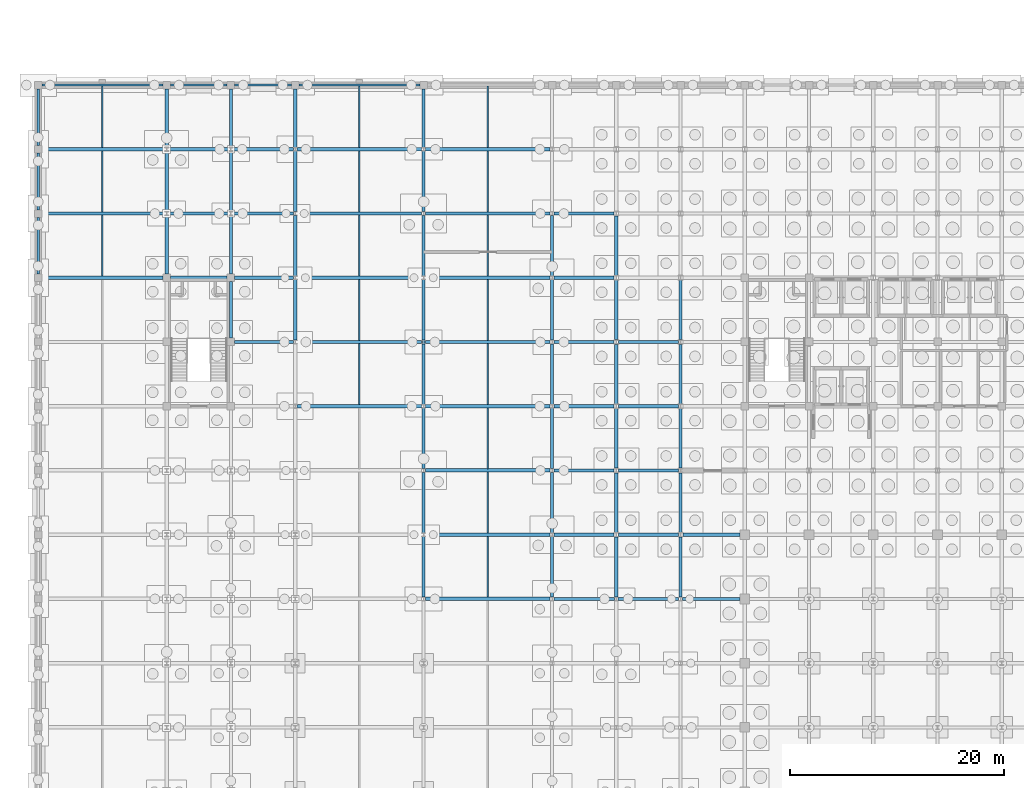
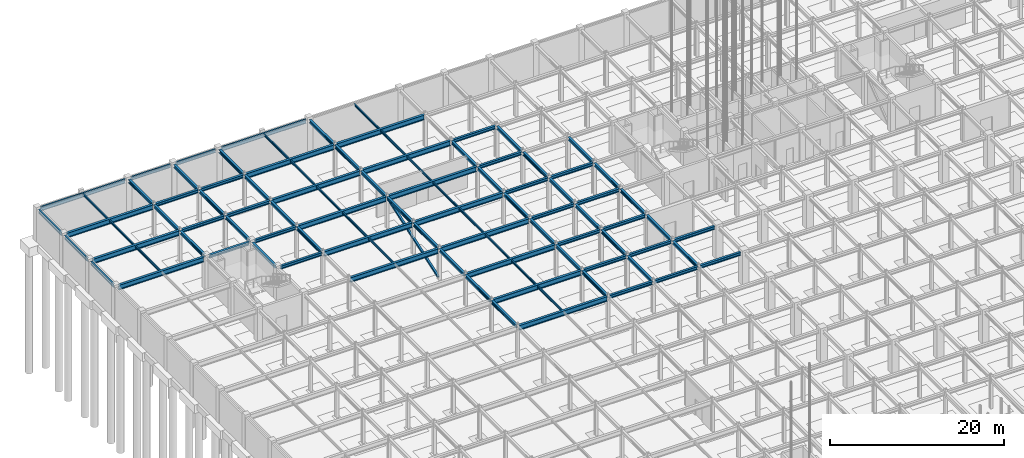
# One storey, part 37 of 69: 96 beams, 1 member.
"""IFC4 building model written with IfcOpenShell, lengths in metres."""

import ifcopenshell
import ifcopenshell.guid

model = None  # the IFC model being written
_history = None  # IfcOwnerHistory: only IFC2X3 demands one
_inside = {}  # id of a spatial element -> (the spatial element, [elements in it])
_under = {}  # id of a project, library or spatial element -> (it, [spatial elements below it])
_declared = {}  # id of a project -> (the project, [libraries it declares])
_typed = {}  # id of a type object -> (the type object, [elements of that type])
_made_of = {}  # id of a material, layer set ... -> (it, [elements and type objects made of it])


def new_model(schema):
    """Start an empty IFC model of exactly this schema.

    Asked for "IFC4X3", IfcOpenShell would pick the latest addendum, in which some entities
    have other attributes; the version numbers below select the first issue.
    IFC2X3 requires an IfcOwnerHistory on every rooted entity: one is made here for all.
    """
    global model, _history
    if schema == "IFC4X3":
        model = ifcopenshell.file(schema_version=(4, 3, 0, 0))
    else:
        model = ifcopenshell.file(schema=schema)
    _inside.clear()
    _under.clear()
    _declared.clear()
    _typed.clear()
    _made_of.clear()
    _history = None
    if model.schema == "IFC2X3":
        org = make("IfcOrganization", Name="unknown")
        user = make(
            "IfcPersonAndOrganization",
            ThePerson=make("IfcPerson", FamilyName="unknown"),
            TheOrganization=org,
        )
        app = make(
            "IfcApplication",
            ApplicationDeveloper=org,
            Version="unknown",
            ApplicationFullName="unknown",
            ApplicationIdentifier="unknown",
        )
        _history = make(
            "IfcOwnerHistory",
            OwningUser=user,
            OwningApplication=app,
            ChangeAction="ADDED",
            CreationDate=0,
        )
    return model


def make(cls, **values):
    """One entity of the class cls with the attributes given. An attribute that is None is left unset."""
    return model.create_entity(
        cls, **{name: value for name, value in values.items() if value is not None}
    )


def rooted(cls, **values):
    """An entity with a GlobalId (a new one), such as an element, a storey or a relation."""
    return make(cls, GlobalId=ifcopenshell.guid.new(), OwnerHistory=_history, **values)


def si_unit(unit_type, name, prefix=None):
    """IfcSIUnit, for example si_unit("LENGTHUNIT", "METRE", prefix="MILLI")."""
    return make("IfcSIUnit", UnitType=unit_type, Prefix=prefix, Name=name)


def assignment(units):
    """IfcUnitAssignment: the units of a project."""
    return None if units is None else make("IfcUnitAssignment", Units=units)


def point(xyz):
    """IfcCartesianPoint."""
    return None if xyz is None else make("IfcCartesianPoint", Coordinates=xyz)


def direction(xyz):
    """IfcDirection."""
    return None if xyz is None else make("IfcDirection", DirectionRatios=xyz)


def frame(location, z_axis=None, x_axis=None):
    """IfcAxis2Placement3D, a coordinate frame: its origin and axes. An axis left out is left unset."""
    return make(
        "IfcAxis2Placement3D",
        Location=point(location),
        Axis=direction(z_axis),
        RefDirection=direction(x_axis),
    )


def frame_2d(location, x_axis=None):
    """IfcAxis2Placement2D, a coordinate frame in the plane: its origin and x axis."""
    return make(
        "IfcAxis2Placement2D", Location=point(location), RefDirection=direction(x_axis)
    )


def origin():
    """The frame at (0, 0, 0) with its axes left unset."""
    return frame((0.0, 0.0, 0.0))


def origin_2d():
    """The frame at (0, 0) in the plane with its x axis left unset."""
    return frame_2d((0.0, 0.0))


def place(relative_to, where):
    """IfcLocalPlacement: puts the frame where relative to a parent placement (None: the world)."""
    return make(
        "IfcLocalPlacement", PlacementRelTo=relative_to, RelativePlacement=where
    )


def context(
    kind, dimensions, precision=None, world=None, true_north=None, identifier=None
):
    """IfcGeometricRepresentationContext, for example the 3D "Model" context."""
    return make(
        "IfcGeometricRepresentationContext",
        ContextIdentifier=identifier,
        ContextType=kind,
        CoordinateSpaceDimension=dimensions,
        Precision=precision,
        WorldCoordinateSystem=world,
        TrueNorth=true_north,
    )


def subcontext(parent, identifier, kind, view, scale=None):
    """IfcGeometricRepresentationSubContext, for example "Body" below "Model"."""
    return make(
        "IfcGeometricRepresentationSubContext",
        ContextIdentifier=identifier,
        ContextType=kind,
        ParentContext=parent,
        TargetScale=scale,
        TargetView=view,
    )


def project(units=None, contexts=None):
    """IfcProject with its units and contexts."""
    return rooted(
        "IfcProject",
        Name="project",
        RepresentationContexts=contexts,
        UnitsInContext=assignment(units),
    )


def spatial(cls, under=None, at=None, **own):
    """A site, building, storey or space (cls), placed at a placement, below another one or the project."""
    s = rooted(cls, ObjectPlacement=at, **own)
    if under is not None:
        _under.setdefault(under.id(), (under, []))[1].append(s)
    return s


def profile(cls, at=None, kind="AREA", **sizes):
    """A parametric profile (cls). Its sizes go by their IFC names, for example OverallWidth=200.0."""
    return make(cls, ProfileType=kind, Position=at, **sizes)


def hollow_rectangle(**sizes):
    """IfcRectangleHollowProfileDef."""
    return profile("IfcRectangleHollowProfileDef", **sizes)


def i_section(**sizes):
    """IfcIShapeProfileDef."""
    return profile("IfcIShapeProfileDef", **sizes)


def extrude(swept, where, along, depth):
    """IfcExtrudedAreaSolid: the profile swept, set in the frame where, extruded along a direction by depth."""
    return make(
        "IfcExtrudedAreaSolid",
        SweptArea=swept,
        Position=where,
        ExtrudedDirection=direction(along),
        Depth=depth,
    )


def shape(context_of_items, identifier, shape_type, items):
    """IfcShapeRepresentation: the items that make up one representation, for example the "Body"."""
    return make(
        "IfcShapeRepresentation",
        ContextOfItems=context_of_items,
        RepresentationIdentifier=identifier,
        RepresentationType=shape_type,
        Items=items,
    )


def material(Name=None, Category=None):
    """IfcMaterial."""
    return make("IfcMaterial", Name=Name, Category=Category)


def material_profile(
    of_material, cross_section, Name=None, Category=None, Priority=None
):
    """IfcMaterialProfile: a cross section and its material."""
    return make(
        "IfcMaterialProfile",
        Name=Name,
        Material=of_material,
        Profile=cross_section,
        Priority=Priority,
        Category=Category,
    )


def profile_set(profiles, Name=None, composite=None):
    """IfcMaterialProfileSet."""
    return make(
        "IfcMaterialProfileSet",
        Name=Name,
        MaterialProfiles=profiles,
        CompositeProfile=composite,
    )


def made_of(thing, what):
    """Note that an element or type object is made of a material, layer set ...; save() writes the relation."""
    if what is not None:
        _made_of.setdefault(what.id(), (what, []))[1].append(thing)
    return thing


def type_object(cls, material=None, **own):
    """A type object (cls), such as IfcWallType, which elements share."""
    return made_of(rooted(cls, **own), material)


def element(
    cls,
    number,
    at=None,
    inside=None,
    cuts=None,
    type_object=None,
    material=None,
    context=None,
    identifier="Body",
    shape_type=None,
    held_by="IfcProductDefinitionShape",
    body=None,
    shapes=None,
    **own,
):
    """One element of the class cls, such as IfcWall. Its Tag is "e" and its number.

    at: its placement. inside: the storey or other place that contains it. cuts: it is an
    opening in that element (IfcRelVoidsElement). A single representation is given by context,
    identifier, shape_type and body (its items); several are given by shapes. held_by: the class
    of the entity that holds the representations. save() writes the other relations.
    """
    e = rooted(cls, Tag="e%d" % number, ObjectPlacement=at, **own)
    if body is not None:
        shapes = [shape(context, identifier, shape_type, body)]
    if shapes is not None:
        e.Representation = make(held_by, Representations=shapes)
    if inside is not None:
        _inside.setdefault(inside.id(), (inside, []))[1].append(e)
    if cuts is not None:
        rooted(
            "IfcRelVoidsElement", RelatingBuildingElement=cuts, RelatedOpeningElement=e
        )
    if type_object is not None:
        _typed.setdefault(type_object.id(), (type_object, []))[1].append(e)
    return made_of(e, material)


def aggregate(whole, parts):
    """IfcRelAggregates: a whole, such as a stair, and the parts it consists of."""
    return rooted("IfcRelAggregates", RelatingObject=whole, RelatedObjects=parts)


def save(model, path):
    """Write the relations noted so far, then the file.

    IfcRelAggregates (storeys below a building ...), IfcRelContainedInSpatialStructure (elements
    in a storey), IfcRelDefinesByType, IfcRelAssociatesMaterial and IfcRelDeclares: one each for
    every whole, place, type object, material and project.
    """
    for whole, parts in _under.values():
        aggregate(whole, parts)
    for where, things in _inside.values():
        rooted(
            "IfcRelContainedInSpatialStructure",
            RelatedElements=things,
            RelatingStructure=where,
        )
    for kind, things in _typed.values():
        rooted("IfcRelDefinesByType", RelatedObjects=things, RelatingType=kind)
    for what, things in _made_of.values():
        rooted("IfcRelAssociatesMaterial", RelatedObjects=things, RelatingMaterial=what)
    for by, libraries in _declared.values():
        rooted("IfcRelDeclares", RelatingContext=by, RelatedDefinitions=libraries)
    model.write(path)


model = new_model("IFC4")

# Units and contexts
model_context = context("Model", 3, precision=1e-05, world=origin(), true_north=direction((0.0, 1.0)))
body_context = subcontext(model_context, "Body", "Model", "MODEL_VIEW")
ifc_project = project(units=[si_unit("LENGTHUNIT", "METRE"), si_unit("AREAUNIT", "SQUARE_METRE"), si_unit("VOLUMEUNIT", "CUBIC_METRE"), si_unit("PLANEANGLEUNIT", "RADIAN"), si_unit("MASSUNIT", "GRAM", prefix="KILO")], contexts=[model_context])

# Site, building, storey
site_placement = place(None, origin())
site = spatial("IfcSite", under=ifc_project, at=site_placement, CompositionType="ELEMENT")
building_placement = place(site_placement, origin())
building = spatial("IfcBuilding", under=site, at=building_placement, Name="Zlatovratsky Civic Hall", CompositionType="ELEMENT")
storey_placement = place(building_placement, frame((0.0, 0.0, -4.800048828125)))
storey = spatial("IfcBuildingStorey", under=building, at=storey_placement, Name="B1", CompositionType="ELEMENT", Elevation=-4.800048828125)

# Beams
ifc_material = material(Name="Steel S355", Category="steel")
ifc_material_profile_1 = material_profile(ifc_material, i_section(OverallWidth=0.320068359375, OverallDepth=0.68310546875, WebThickness=0.012939453125, FlangeThickness=0.01904296875, FilletRadius=0.02587890625, at=origin_2d()), Name="70Sh1")
ifc_profile_set_1 = profile_set([ifc_material_profile_1], Name="Steel S355")
beam_type_1 = type_object("IfcBeamType", Name="Beam_HallGirder_70Sh1", PredefinedType="BEAM", material=ifc_profile_set_1)
for number, where, z_axis, x_axis, name in (
    (1, (36.175048828125, 66.0, 4.138427734375), (1.0, 0.0, 0.0), (0.0, 1.0, 0.0), "BM-0193"),
    (2, (36.175048828125, 72.0, 4.138427734375), (1.0, 0.0, 0.0), (0.0, 1.0, 0.0), "BM-0215"),
    (3, (36.175048828125, 78.0, 4.138427734375), (1.0, 0.0, 0.0), (0.0, 1.0, 0.0), "BM-0237"),
    (4, (24.175048828125, 84.0, 4.138427734375), (1.0, 0.0, 0.0), (0.0, 1.0, 0.0), "BM-0258"),
    (5, (36.175048828125, 84.0, 4.138427734375), (1.0, 0.0, 0.0), (0.0, 1.0, 0.0), "BM-0259"),
    (6, (24.175048828125, 90.0, 4.138427734375), (1.0, 0.0, 0.0), (0.0, 1.0, 0.0), "BM-0279"),
    (7, (36.175048828125, 90.0, 4.138427734375), (1.0, 0.0, 0.0), (0.0, 1.0, 0.0), "BM-0280"),
):
    element("IfcBeam", number, at=place(storey_placement, frame(where, z_axis=z_axis, x_axis=x_axis)), inside=storey, type_object=beam_type_1, Name=name, PredefinedType="BEAM", context=body_context, shape_type="SweptSolid", body=[
        extrude(i_section(OverallWidth=0.320068359375, OverallDepth=0.68310546875, WebThickness=0.012939453125, FlangeThickness=0.01904296875, FilletRadius=0.02587890625, at=origin_2d()), origin(), (0.0, 0.0, 1.0), 11.64990234375),
    ])
beam_1_placement = place(storey_placement, frame((0.35009765625, 96.0, 4.138427734375), z_axis=(1.0, 0.0, 0.0), x_axis=(0.0, 1.0, 0.0)))
element("IfcBeam", 8, at=beam_1_placement, inside=storey, type_object=beam_type_1, Name="BM-0295", PredefinedType="BEAM", context=body_context, shape_type="SweptSolid", body=[
    extrude(i_section(OverallWidth=0.320068359375, OverallDepth=0.68310546875, WebThickness=0.012939453125, FlangeThickness=0.01904296875, FilletRadius=0.02587890625, at=origin_2d()), origin(), (0.0, 0.0, 1.0), 11.2998046875),
])
for number, where, z_axis, x_axis, name in (
    (9, (24.175048828125, 96.0, 4.138427734375), (1.0, 0.0, 0.0), (0.0, 1.0, 0.0), "BM-0298"),
    (10, (36.175048828125, 96.0, 4.138427734375), (1.0, 0.0, 0.0), (0.0, 1.0, 0.0), "BM-0299"),
):
    element("IfcBeam", number, at=place(storey_placement, frame(where, z_axis=z_axis, x_axis=x_axis)), inside=storey, type_object=beam_type_1, Name=name, PredefinedType="BEAM", context=body_context, shape_type="SweptSolid", body=[
        extrude(i_section(OverallWidth=0.320068359375, OverallDepth=0.68310546875, WebThickness=0.012939453125, FlangeThickness=0.01904296875, FilletRadius=0.02587890625, at=origin_2d()), origin(), (0.0, 0.0, 1.0), 11.64990234375),
    ])
beam_2_placement = place(storey_placement, frame((0.35009765625, 102.0, 4.138427734375), z_axis=(1.0, 0.0, 0.0), x_axis=(0.0, 1.0, 0.0)))
element("IfcBeam", 11, at=beam_2_placement, inside=storey, type_object=beam_type_1, Name="BM-0317", PredefinedType="BEAM", context=body_context, shape_type="SweptSolid", body=[
    extrude(i_section(OverallWidth=0.320068359375, OverallDepth=0.68310546875, WebThickness=0.012939453125, FlangeThickness=0.01904296875, FilletRadius=0.02587890625, at=origin_2d()), origin(), (0.0, 0.0, 1.0), 11.474853515625),
])
for number, where, z_axis, x_axis, name in (
    (12, (24.175048828125, 102.0, 4.138427734375), (1.0, 0.0, 0.0), (0.0, 1.0, 0.0), "BM-0320"),
    (13, (36.175048828125, 102.0, 4.138427734375), (1.0, 0.0, 0.0), (0.0, 1.0, 0.0), "BM-0321"),
):
    element("IfcBeam", number, at=place(storey_placement, frame(where, z_axis=z_axis, x_axis=x_axis)), inside=storey, type_object=beam_type_1, Name=name, PredefinedType="BEAM", context=body_context, shape_type="SweptSolid", body=[
        extrude(i_section(OverallWidth=0.320068359375, OverallDepth=0.68310546875, WebThickness=0.012939453125, FlangeThickness=0.01904296875, FilletRadius=0.02587890625, at=origin_2d()), origin(), (0.0, 0.0, 1.0), 11.64990234375),
    ])
beam_3_placement = place(storey_placement, frame((0.35009765625, 108.0, 4.138427734375), z_axis=(1.0, 0.0, 0.0), x_axis=(0.0, 1.0, 0.0)))
element("IfcBeam", 14, at=beam_3_placement, inside=storey, type_object=beam_type_1, Name="BM-0339", PredefinedType="BEAM", context=body_context, shape_type="SweptSolid", body=[
    extrude(i_section(OverallWidth=0.320068359375, OverallDepth=0.68310546875, WebThickness=0.012939453125, FlangeThickness=0.01904296875, FilletRadius=0.02587890625, at=origin_2d()), origin(), (0.0, 0.0, 1.0), 11.474853515625),
])
for number, where, z_axis, x_axis, name in (
    (15, (24.175048828125, 108.0, 4.138427734375), (1.0, 0.0, 0.0), (0.0, 1.0, 0.0), "BM-0342"),
    (16, (36.175048828125, 108.0, 4.138427734375), (1.0, 0.0, 0.0), (0.0, 1.0, 0.0), "BM-0343"),
):
    element("IfcBeam", number, at=place(storey_placement, frame(where, z_axis=z_axis, x_axis=x_axis)), inside=storey, type_object=beam_type_1, Name=name, PredefinedType="BEAM", context=body_context, shape_type="SweptSolid", body=[
        extrude(i_section(OverallWidth=0.320068359375, OverallDepth=0.68310546875, WebThickness=0.012939453125, FlangeThickness=0.01904296875, FilletRadius=0.02587890625, at=origin_2d()), origin(), (0.0, 0.0, 1.0), 11.64990234375),
    ])
ifc_material_profile_2 = material_profile(ifc_material, i_section(OverallWidth=0.198974609375, OverallDepth=0.491943359375, WebThickness=0.0087890625, FlangeThickness=0.011962890625, FilletRadius=0.01611328125, at=origin_2d()), Name="50B1")
ifc_profile_set_2 = profile_set([ifc_material_profile_2], Name="Steel S355")
beam_type_2 = type_object("IfcBeamType", Name="Beam_Spandrel_50B1", PredefinedType="SPANDREL", material=ifc_profile_set_2)
for number, where, z_axis, x_axis, name in (
    (17, (12.35009765625, 114.0, 4.234130859375), (1.0, 0.0, 0.0), (0.0, 1.0, 0.0), "BM-0362"),
    (18, (18.35009765625, 114.0, 4.234130859375), (1.0, 0.0, 0.0), (0.0, 1.0, 0.0), "BM-0363"),
    (19, (0.0, 96.35009765625, 4.234130859375), (0.0, 1.0, 0.0), (-1.0, 0.0, 0.0), "BM-0397"),
    (20, (0.0, 102.35009765625, 4.234130859375), (0.0, 1.0, 0.0), (-1.0, 0.0, 0.0), "BM-0398"),
    (21, (0.0, 108.35009765625, 4.234130859375), (0.0, 1.0, 0.0), (-1.0, 0.0, 0.0), "BM-0399"),
):
    element("IfcBeam", number, at=place(storey_placement, frame(where, z_axis=z_axis, x_axis=x_axis)), inside=storey, type_object=beam_type_2, Name=name, PredefinedType="SPANDREL", context=body_context, shape_type="SweptSolid", body=[
        extrude(i_section(OverallWidth=0.198974609375, OverallDepth=0.491943359375, WebThickness=0.0087890625, FlangeThickness=0.011962890625, FilletRadius=0.01611328125, at=origin_2d()), origin(), (0.0, 0.0, 1.0), 5.2998046875),
    ])
ifc_material_profile_3 = material_profile(ifc_material, i_section(OverallWidth=0.198974609375, OverallDepth=0.593017578125, WebThickness=0.010498046875, FlangeThickness=0.014892578125, FilletRadius=0.01806640625, at=origin_2d()), Name="60B1")
ifc_profile_set_3 = profile_set([ifc_material_profile_3], Name="Steel S355")
beam_type_3 = type_object("IfcBeamType", Name="Beam_Spandrel_60B1", PredefinedType="SPANDREL", material=ifc_profile_set_3)
for number, where, z_axis, x_axis, name in (
    (22, (0.35009765625, 114.0, 4.18359375), (1.0, 0.0, 0.0), (0.0, 1.0, 0.0), "BM-0361"),
    (23, (24.35009765625, 114.0, 4.18359375), (1.0, 0.0, 0.0), (0.0, 1.0, 0.0), "BM-0364"),
):
    element("IfcBeam", number, at=place(storey_placement, frame(where, z_axis=z_axis, x_axis=x_axis)), inside=storey, type_object=beam_type_3, Name=name, PredefinedType="SPANDREL", context=body_context, shape_type="SweptSolid", body=[
        extrude(i_section(OverallWidth=0.198974609375, OverallDepth=0.593017578125, WebThickness=0.010498046875, FlangeThickness=0.014892578125, FilletRadius=0.01806640625, at=origin_2d()), origin(), (0.0, 0.0, 1.0), 11.2998046875),
    ])
ifc_material_profile_4 = material_profile(ifc_material, i_section(OverallWidth=0.300048828125, OverallDepth=0.43994140625, WebThickness=0.010986328125, FlangeThickness=0.01806640625, FilletRadius=0.02197265625, at=origin_2d()), Name="45Sh1")
ifc_profile_set_4 = profile_set([ifc_material_profile_4], Name="Steel S355")
beam_type_4 = type_object("IfcBeamType", Name="Beam_TowerLow_45Sh1", PredefinedType="BEAM", material=ifc_profile_set_4)
for number, where, z_axis, x_axis, name in (
    (24, (48.175048828125, 66.0, 4.260009765625), (1.0, 0.0, 0.0), (0.0, 1.0, 0.0), "BM-0194"),
    (25, (54.175048828125, 66.0, 4.260009765625), (1.0, 0.0, 0.0), (0.0, 1.0, 0.0), "BM-0195"),
):
    element("IfcBeam", number, at=place(storey_placement, frame(where, z_axis=z_axis, x_axis=x_axis)), inside=storey, type_object=beam_type_4, Name=name, PredefinedType="BEAM", context=body_context, shape_type="SweptSolid", body=[
        extrude(i_section(OverallWidth=0.300048828125, OverallDepth=0.43994140625, WebThickness=0.010986328125, FlangeThickness=0.01806640625, FilletRadius=0.02197265625, at=origin_2d()), origin(), (0.0, 0.0, 1.0), 5.64990234375),
    ])
beam_4_placement = place(storey_placement, frame((60.175048828125, 66.0, 4.260009765625), z_axis=(1.0, 0.0, 0.0), x_axis=(0.0, 1.0, 0.0)))
element("IfcBeam", 26, at=beam_4_placement, inside=storey, type_object=beam_type_4, Name="BM-0196", PredefinedType="BEAM", context=body_context, shape_type="SweptSolid", body=[
    extrude(i_section(OverallWidth=0.300048828125, OverallDepth=0.43994140625, WebThickness=0.010986328125, FlangeThickness=0.01806640625, FilletRadius=0.02197265625, at=origin_2d()), origin(), (0.0, 0.0, 1.0), 5.375),
])
beam_5_placement = place(storey_placement, frame((48.175048828125, 72.0, 4.260009765625), z_axis=(1.0, 0.0, 0.0), x_axis=(0.0, 1.0, 0.0)))
element("IfcBeam", 27, at=beam_5_placement, inside=storey, type_object=beam_type_4, Name="BM-0216", PredefinedType="BEAM", context=body_context, shape_type="SweptSolid", body=[
    extrude(i_section(OverallWidth=0.300048828125, OverallDepth=0.43994140625, WebThickness=0.010986328125, FlangeThickness=0.01806640625, FilletRadius=0.02197265625, at=origin_2d()), origin(), (0.0, 0.0, 1.0), 5.620361328125),
])
beam_6_placement = place(storey_placement, frame((54.20458984375, 72.0, 4.260009765625), z_axis=(1.0, 0.0, 0.0), x_axis=(0.0, 1.0, 0.0)))
element("IfcBeam", 28, at=beam_6_placement, inside=storey, type_object=beam_type_4, Name="BM-0217", PredefinedType="BEAM", context=body_context, shape_type="SweptSolid", body=[
    extrude(i_section(OverallWidth=0.300048828125, OverallDepth=0.43994140625, WebThickness=0.010986328125, FlangeThickness=0.01806640625, FilletRadius=0.02197265625, at=origin_2d()), origin(), (0.0, 0.0, 1.0), 5.5908203125),
])
beam_7_placement = place(storey_placement, frame((60.20458984375, 72.0, 4.260009765625), z_axis=(1.0, 0.0, 0.0), x_axis=(0.0, 1.0, 0.0)))
element("IfcBeam", 29, at=beam_7_placement, inside=storey, type_object=beam_type_4, Name="BM-0218", PredefinedType="BEAM", context=body_context, shape_type="SweptSolid", body=[
    extrude(i_section(OverallWidth=0.300048828125, OverallDepth=0.43994140625, WebThickness=0.010986328125, FlangeThickness=0.01806640625, FilletRadius=0.02197265625, at=origin_2d()), origin(), (0.0, 0.0, 1.0), 5.345458984375),
])
beam_8_placement = place(storey_placement, frame((48.175048828125, 78.0, 4.260009765625), z_axis=(1.0, 0.0, 0.0), x_axis=(0.0, 1.0, 0.0)))
element("IfcBeam", 30, at=beam_8_placement, inside=storey, type_object=beam_type_4, Name="BM-0238", PredefinedType="BEAM", context=body_context, shape_type="SweptSolid", body=[
    extrude(i_section(OverallWidth=0.300048828125, OverallDepth=0.43994140625, WebThickness=0.010986328125, FlangeThickness=0.01806640625, FilletRadius=0.02197265625, at=origin_2d()), origin(), (0.0, 0.0, 1.0), 5.620361328125),
])
beam_9_placement = place(storey_placement, frame((54.20458984375, 78.0, 4.260009765625), z_axis=(1.0, 0.0, 0.0), x_axis=(0.0, 1.0, 0.0)))
element("IfcBeam", 31, at=beam_9_placement, inside=storey, type_object=beam_type_4, Name="BM-0239", PredefinedType="BEAM", context=body_context, shape_type="SweptSolid", body=[
    extrude(i_section(OverallWidth=0.300048828125, OverallDepth=0.43994140625, WebThickness=0.010986328125, FlangeThickness=0.01806640625, FilletRadius=0.02197265625, at=origin_2d()), origin(), (0.0, 0.0, 1.0), 5.5908203125),
])
beam_10_placement = place(storey_placement, frame((48.175048828125, 84.0, 4.260009765625), z_axis=(1.0, 0.0, 0.0), x_axis=(0.0, 1.0, 0.0)))
element("IfcBeam", 32, at=beam_10_placement, inside=storey, type_object=beam_type_4, Name="BM-0260", PredefinedType="BEAM", context=body_context, shape_type="SweptSolid", body=[
    extrude(i_section(OverallWidth=0.300048828125, OverallDepth=0.43994140625, WebThickness=0.010986328125, FlangeThickness=0.01806640625, FilletRadius=0.02197265625, at=origin_2d()), origin(), (0.0, 0.0, 1.0), 5.620361328125),
])
beam_11_placement = place(storey_placement, frame((54.20458984375, 84.0, 4.260009765625), z_axis=(1.0, 0.0, 0.0), x_axis=(0.0, 1.0, 0.0)))
element("IfcBeam", 33, at=beam_11_placement, inside=storey, type_object=beam_type_4, Name="BM-0261", PredefinedType="BEAM", context=body_context, shape_type="SweptSolid", body=[
    extrude(i_section(OverallWidth=0.300048828125, OverallDepth=0.43994140625, WebThickness=0.010986328125, FlangeThickness=0.01806640625, FilletRadius=0.02197265625, at=origin_2d()), origin(), (0.0, 0.0, 1.0), 5.5908203125),
])
beam_12_placement = place(storey_placement, frame((18.35009765625, 90.0, 4.260009765625), z_axis=(1.0, 0.0, 0.0), x_axis=(0.0, 1.0, 0.0)))
element("IfcBeam", 34, at=beam_12_placement, inside=storey, type_object=beam_type_4, Name="BM-0278", PredefinedType="BEAM", context=body_context, shape_type="SweptSolid", body=[
    extrude(i_section(OverallWidth=0.300048828125, OverallDepth=0.43994140625, WebThickness=0.010986328125, FlangeThickness=0.01806640625, FilletRadius=0.02197265625, at=origin_2d()), origin(), (0.0, 0.0, 1.0), 5.474853515625),
])
beam_13_placement = place(storey_placement, frame((48.175048828125, 90.0, 4.260009765625), z_axis=(1.0, 0.0, 0.0), x_axis=(0.0, 1.0, 0.0)))
element("IfcBeam", 35, at=beam_13_placement, inside=storey, type_object=beam_type_4, Name="BM-0281", PredefinedType="BEAM", context=body_context, shape_type="SweptSolid", body=[
    extrude(i_section(OverallWidth=0.300048828125, OverallDepth=0.43994140625, WebThickness=0.010986328125, FlangeThickness=0.01806640625, FilletRadius=0.02197265625, at=origin_2d()), origin(), (0.0, 0.0, 1.0), 5.620361328125),
])
beam_14_placement = place(storey_placement, frame((54.20458984375, 90.0, 4.260009765625), z_axis=(1.0, 0.0, 0.0), x_axis=(0.0, 1.0, 0.0)))
element("IfcBeam", 36, at=beam_14_placement, inside=storey, type_object=beam_type_4, Name="BM-0282", PredefinedType="BEAM", context=body_context, shape_type="SweptSolid", body=[
    extrude(i_section(OverallWidth=0.300048828125, OverallDepth=0.43994140625, WebThickness=0.010986328125, FlangeThickness=0.01806640625, FilletRadius=0.02197265625, at=origin_2d()), origin(), (0.0, 0.0, 1.0), 5.5908203125),
])
beam_15_placement = place(storey_placement, frame((12.35009765625, 96.0, 4.260009765625), z_axis=(1.0, 0.0, 0.0), x_axis=(0.0, 1.0, 0.0)))
element("IfcBeam", 37, at=beam_15_placement, inside=storey, type_object=beam_type_4, Name="BM-0296", PredefinedType="BEAM", context=body_context, shape_type="SweptSolid", body=[
    extrude(i_section(OverallWidth=0.300048828125, OverallDepth=0.43994140625, WebThickness=0.010986328125, FlangeThickness=0.01806640625, FilletRadius=0.02197265625, at=origin_2d()), origin(), (0.0, 0.0, 1.0), 5.2998046875),
])
beam_16_placement = place(storey_placement, frame((18.35009765625, 96.0, 4.260009765625), z_axis=(1.0, 0.0, 0.0), x_axis=(0.0, 1.0, 0.0)))
element("IfcBeam", 38, at=beam_16_placement, inside=storey, type_object=beam_type_4, Name="BM-0297", PredefinedType="BEAM", context=body_context, shape_type="SweptSolid", body=[
    extrude(i_section(OverallWidth=0.300048828125, OverallDepth=0.43994140625, WebThickness=0.010986328125, FlangeThickness=0.01806640625, FilletRadius=0.02197265625, at=origin_2d()), origin(), (0.0, 0.0, 1.0), 5.474853515625),
])
beam_17_placement = place(storey_placement, frame((48.175048828125, 96.0, 4.260009765625), z_axis=(1.0, 0.0, 0.0), x_axis=(0.0, 1.0, 0.0)))
element("IfcBeam", 39, at=beam_17_placement, inside=storey, type_object=beam_type_4, Name="BM-0300", PredefinedType="BEAM", context=body_context, shape_type="SweptSolid", body=[
    extrude(i_section(OverallWidth=0.300048828125, OverallDepth=0.43994140625, WebThickness=0.010986328125, FlangeThickness=0.01806640625, FilletRadius=0.02197265625, at=origin_2d()), origin(), (0.0, 0.0, 1.0), 5.620361328125),
])
for number, where, z_axis, x_axis, name in (
    (40, (12.175048828125, 102.0, 4.260009765625), (1.0, 0.0, 0.0), (0.0, 1.0, 0.0), "BM-0318"),
    (41, (18.175048828125, 102.0, 4.260009765625), (1.0, 0.0, 0.0), (0.0, 1.0, 0.0), "BM-0319"),
):
    element("IfcBeam", number, at=place(storey_placement, frame(where, z_axis=z_axis, x_axis=x_axis)), inside=storey, type_object=beam_type_4, Name=name, PredefinedType="BEAM", context=body_context, shape_type="SweptSolid", body=[
        extrude(i_section(OverallWidth=0.300048828125, OverallDepth=0.43994140625, WebThickness=0.010986328125, FlangeThickness=0.01806640625, FilletRadius=0.02197265625, at=origin_2d()), origin(), (0.0, 0.0, 1.0), 5.64990234375),
    ])
beam_18_placement = place(storey_placement, frame((48.175048828125, 102.0, 4.260009765625), z_axis=(1.0, 0.0, 0.0), x_axis=(0.0, 1.0, 0.0)))
element("IfcBeam", 42, at=beam_18_placement, inside=storey, type_object=beam_type_4, Name="BM-0322", PredefinedType="BEAM", context=body_context, shape_type="SweptSolid", body=[
    extrude(i_section(OverallWidth=0.300048828125, OverallDepth=0.43994140625, WebThickness=0.010986328125, FlangeThickness=0.01806640625, FilletRadius=0.02197265625, at=origin_2d()), origin(), (0.0, 0.0, 1.0), 5.620361328125),
])
for number, where, z_axis, x_axis, name in (
    (43, (12.175048828125, 108.0, 4.260009765625), (1.0, 0.0, 0.0), (0.0, 1.0, 0.0), "BM-0340"),
    (44, (18.175048828125, 108.0, 4.260009765625), (1.0, 0.0, 0.0), (0.0, 1.0, 0.0), "BM-0341"),
):
    element("IfcBeam", number, at=place(storey_placement, frame(where, z_axis=z_axis, x_axis=x_axis)), inside=storey, type_object=beam_type_4, Name=name, PredefinedType="BEAM", context=body_context, shape_type="SweptSolid", body=[
        extrude(i_section(OverallWidth=0.300048828125, OverallDepth=0.43994140625, WebThickness=0.010986328125, FlangeThickness=0.01806640625, FilletRadius=0.02197265625, at=origin_2d()), origin(), (0.0, 0.0, 1.0), 5.64990234375),
    ])
beam_19_placement = place(storey_placement, frame((12.0, 96.35009765625, 4.260009765625), z_axis=(0.0, 1.0, 0.0), x_axis=(-1.0, 0.0, 0.0)))
element("IfcBeam", 45, at=beam_19_placement, inside=storey, type_object=beam_type_4, Name="BM-0414", PredefinedType="BEAM", context=body_context, shape_type="SweptSolid", body=[
    extrude(i_section(OverallWidth=0.300048828125, OverallDepth=0.43994140625, WebThickness=0.010986328125, FlangeThickness=0.01806640625, FilletRadius=0.02197265625, at=origin_2d()), origin(), (0.0, 0.0, 1.0), 5.474853515625),
])
beam_20_placement = place(storey_placement, frame((12.0, 102.175048828125, 4.260009765625), z_axis=(0.0, 1.0, 0.0), x_axis=(-1.0, 0.0, 0.0)))
element("IfcBeam", 46, at=beam_20_placement, inside=storey, type_object=beam_type_4, Name="BM-0415", PredefinedType="BEAM", context=body_context, shape_type="SweptSolid", body=[
    extrude(i_section(OverallWidth=0.300048828125, OverallDepth=0.43994140625, WebThickness=0.010986328125, FlangeThickness=0.01806640625, FilletRadius=0.02197265625, at=origin_2d()), origin(), (0.0, 0.0, 1.0), 5.64990234375),
])
beam_21_placement = place(storey_placement, frame((12.0, 108.175048828125, 4.260009765625), z_axis=(0.0, 1.0, 0.0), x_axis=(-1.0, 0.0, 0.0)))
element("IfcBeam", 47, at=beam_21_placement, inside=storey, type_object=beam_type_4, Name="BM-0416", PredefinedType="BEAM", context=body_context, shape_type="SweptSolid", body=[
    extrude(i_section(OverallWidth=0.300048828125, OverallDepth=0.43994140625, WebThickness=0.010986328125, FlangeThickness=0.01806640625, FilletRadius=0.02197265625, at=origin_2d()), origin(), (0.0, 0.0, 1.0), 5.474853515625),
])
beam_22_placement = place(storey_placement, frame((18.0, 90.35009765625, 4.260009765625), z_axis=(0.0, 1.0, 0.0), x_axis=(-1.0, 0.0, 0.0)))
element("IfcBeam", 48, at=beam_22_placement, inside=storey, type_object=beam_type_4, Name="BM-0430", PredefinedType="BEAM", context=body_context, shape_type="SweptSolid", body=[
    extrude(i_section(OverallWidth=0.300048828125, OverallDepth=0.43994140625, WebThickness=0.010986328125, FlangeThickness=0.01806640625, FilletRadius=0.02197265625, at=origin_2d()), origin(), (0.0, 0.0, 1.0), 5.2998046875),
])
beam_23_placement = place(storey_placement, frame((18.0, 96.35009765625, 4.260009765625), z_axis=(0.0, 1.0, 0.0), x_axis=(-1.0, 0.0, 0.0)))
element("IfcBeam", 49, at=beam_23_placement, inside=storey, type_object=beam_type_4, Name="BM-0431", PredefinedType="BEAM", context=body_context, shape_type="SweptSolid", body=[
    extrude(i_section(OverallWidth=0.300048828125, OverallDepth=0.43994140625, WebThickness=0.010986328125, FlangeThickness=0.01806640625, FilletRadius=0.02197265625, at=origin_2d()), origin(), (0.0, 0.0, 1.0), 5.474853515625),
])
beam_24_placement = place(storey_placement, frame((18.0, 102.175048828125, 4.260009765625), z_axis=(0.0, 1.0, 0.0), x_axis=(-1.0, 0.0, 0.0)))
element("IfcBeam", 50, at=beam_24_placement, inside=storey, type_object=beam_type_4, Name="BM-0432", PredefinedType="BEAM", context=body_context, shape_type="SweptSolid", body=[
    extrude(i_section(OverallWidth=0.300048828125, OverallDepth=0.43994140625, WebThickness=0.010986328125, FlangeThickness=0.01806640625, FilletRadius=0.02197265625, at=origin_2d()), origin(), (0.0, 0.0, 1.0), 5.64990234375),
])
beam_25_placement = place(storey_placement, frame((18.0, 108.175048828125, 4.260009765625), z_axis=(0.0, 1.0, 0.0), x_axis=(-1.0, 0.0, 0.0)))
element("IfcBeam", 51, at=beam_25_placement, inside=storey, type_object=beam_type_4, Name="BM-0433", PredefinedType="BEAM", context=body_context, shape_type="SweptSolid", body=[
    extrude(i_section(OverallWidth=0.300048828125, OverallDepth=0.43994140625, WebThickness=0.010986328125, FlangeThickness=0.01806640625, FilletRadius=0.02197265625, at=origin_2d()), origin(), (0.0, 0.0, 1.0), 5.474853515625),
])
for number, where, z_axis, x_axis, name in (
    (52, (24.0, 90.175048828125, 4.260009765625), (0.0, 1.0, 0.0), (-1.0, 0.0, 0.0), "BM-0447"),
    (53, (24.0, 96.175048828125, 4.260009765625), (0.0, 1.0, 0.0), (-1.0, 0.0, 0.0), "BM-0448"),
    (54, (24.0, 102.175048828125, 4.260009765625), (0.0, 1.0, 0.0), (-1.0, 0.0, 0.0), "BM-0449"),
):
    element("IfcBeam", number, at=place(storey_placement, frame(where, z_axis=z_axis, x_axis=x_axis)), inside=storey, type_object=beam_type_4, Name=name, PredefinedType="BEAM", context=body_context, shape_type="SweptSolid", body=[
        extrude(i_section(OverallWidth=0.300048828125, OverallDepth=0.43994140625, WebThickness=0.010986328125, FlangeThickness=0.01806640625, FilletRadius=0.02197265625, at=origin_2d()), origin(), (0.0, 0.0, 1.0), 5.64990234375),
    ])
beam_26_placement = place(storey_placement, frame((24.0, 108.175048828125, 4.260009765625), z_axis=(0.0, 1.0, 0.0), x_axis=(-1.0, 0.0, 0.0)))
element("IfcBeam", 55, at=beam_26_placement, inside=storey, type_object=beam_type_4, Name="BM-0450", PredefinedType="BEAM", context=body_context, shape_type="SweptSolid", body=[
    extrude(i_section(OverallWidth=0.300048828125, OverallDepth=0.43994140625, WebThickness=0.010986328125, FlangeThickness=0.01806640625, FilletRadius=0.02197265625, at=origin_2d()), origin(), (0.0, 0.0, 1.0), 5.474853515625),
])
for number, where, z_axis, x_axis, name in (
    (56, (36.0, 66.175048828125, 4.260009765625), (0.0, 1.0, 0.0), (-1.0, 0.0, 0.0), "BM-0460"),
    (57, (36.0, 72.175048828125, 4.260009765625), (0.0, 1.0, 0.0), (-1.0, 0.0, 0.0), "BM-0461"),
    (58, (36.0, 78.175048828125, 4.260009765625), (0.0, 1.0, 0.0), (-1.0, 0.0, 0.0), "BM-0462"),
    (59, (36.0, 84.175048828125, 4.260009765625), (0.0, 1.0, 0.0), (-1.0, 0.0, 0.0), "BM-0463"),
    (60, (36.0, 90.175048828125, 4.260009765625), (0.0, 1.0, 0.0), (-1.0, 0.0, 0.0), "BM-0464"),
    (61, (36.0, 96.175048828125, 4.260009765625), (0.0, 1.0, 0.0), (-1.0, 0.0, 0.0), "BM-0465"),
    (62, (36.0, 102.175048828125, 4.260009765625), (0.0, 1.0, 0.0), (-1.0, 0.0, 0.0), "BM-0466"),
):
    element("IfcBeam", number, at=place(storey_placement, frame(where, z_axis=z_axis, x_axis=x_axis)), inside=storey, type_object=beam_type_4, Name=name, PredefinedType="BEAM", context=body_context, shape_type="SweptSolid", body=[
        extrude(i_section(OverallWidth=0.300048828125, OverallDepth=0.43994140625, WebThickness=0.010986328125, FlangeThickness=0.01806640625, FilletRadius=0.02197265625, at=origin_2d()), origin(), (0.0, 0.0, 1.0), 5.64990234375),
    ])
beam_27_placement = place(storey_placement, frame((36.0, 108.175048828125, 4.260009765625), z_axis=(0.0, 1.0, 0.0), x_axis=(-1.0, 0.0, 0.0)))
element("IfcBeam", 63, at=beam_27_placement, inside=storey, type_object=beam_type_4, Name="BM-0467", PredefinedType="BEAM", context=body_context, shape_type="SweptSolid", body=[
    extrude(i_section(OverallWidth=0.300048828125, OverallDepth=0.43994140625, WebThickness=0.010986328125, FlangeThickness=0.01806640625, FilletRadius=0.02197265625, at=origin_2d()), origin(), (0.0, 0.0, 1.0), 5.474853515625),
])
for number, where, z_axis, x_axis, name in (
    (64, (48.0, 66.175048828125, 4.260009765625), (0.0, 1.0, 0.0), (-1.0, 0.0, 0.0), "BM-0477"),
    (65, (48.0, 72.175048828125, 4.260009765625), (0.0, 1.0, 0.0), (-1.0, 0.0, 0.0), "BM-0478"),
    (66, (48.0, 78.175048828125, 4.260009765625), (0.0, 1.0, 0.0), (-1.0, 0.0, 0.0), "BM-0479"),
    (67, (48.0, 84.175048828125, 4.260009765625), (0.0, 1.0, 0.0), (-1.0, 0.0, 0.0), "BM-0480"),
    (68, (48.0, 90.175048828125, 4.260009765625), (0.0, 1.0, 0.0), (-1.0, 0.0, 0.0), "BM-0481"),
    (69, (48.0, 96.175048828125, 4.260009765625), (0.0, 1.0, 0.0), (-1.0, 0.0, 0.0), "BM-0482"),
):
    element("IfcBeam", number, at=place(storey_placement, frame(where, z_axis=z_axis, x_axis=x_axis)), inside=storey, type_object=beam_type_4, Name=name, PredefinedType="BEAM", context=body_context, shape_type="SweptSolid", body=[
        extrude(i_section(OverallWidth=0.300048828125, OverallDepth=0.43994140625, WebThickness=0.010986328125, FlangeThickness=0.01806640625, FilletRadius=0.02197265625, at=origin_2d()), origin(), (0.0, 0.0, 1.0), 5.64990234375),
    ])
beam_28_placement = place(storey_placement, frame((54.0, 66.175048828125, 4.260009765625), z_axis=(0.0, 1.0, 0.0), x_axis=(-1.0, 0.0, 0.0)))
element("IfcBeam", 70, at=beam_28_placement, inside=storey, type_object=beam_type_4, Name="BM-0494", PredefinedType="BEAM", context=body_context, shape_type="SweptSolid", body=[
    extrude(i_section(OverallWidth=0.300048828125, OverallDepth=0.43994140625, WebThickness=0.010986328125, FlangeThickness=0.01806640625, FilletRadius=0.02197265625, at=origin_2d()), origin(), (0.0, 0.0, 1.0), 5.6103515625),
])
for number, where, z_axis, x_axis, name in (
    (71, (54.0, 72.214599609375, 4.260009765625), (0.0, 1.0, 0.0), (-1.0, 0.0, 0.0), "BM-0495"),
    (72, (54.0, 78.214599609375, 4.260009765625), (0.0, 1.0, 0.0), (-1.0, 0.0, 0.0), "BM-0496"),
    (73, (54.0, 84.214599609375, 4.260009765625), (0.0, 1.0, 0.0), (-1.0, 0.0, 0.0), "BM-0497"),
    (74, (54.0, 90.214599609375, 4.260009765625), (0.0, 1.0, 0.0), (-1.0, 0.0, 0.0), "BM-0498"),
    (75, (54.0, 96.214599609375, 4.260009765625), (0.0, 1.0, 0.0), (-1.0, 0.0, 0.0), "BM-0499"),
):
    element("IfcBeam", number, at=place(storey_placement, frame(where, z_axis=z_axis, x_axis=x_axis)), inside=storey, type_object=beam_type_4, Name=name, PredefinedType="BEAM", context=body_context, shape_type="SweptSolid", body=[
        extrude(i_section(OverallWidth=0.300048828125, OverallDepth=0.43994140625, WebThickness=0.010986328125, FlangeThickness=0.01806640625, FilletRadius=0.02197265625, at=origin_2d()), origin(), (0.0, 0.0, 1.0), 5.57080078125),
    ])
beam_29_placement = place(storey_placement, frame((60.0, 66.175048828125, 4.260009765625), z_axis=(0.0, 1.0, 0.0), x_axis=(-1.0, 0.0, 0.0)))
element("IfcBeam", 76, at=beam_29_placement, inside=storey, type_object=beam_type_4, Name="BM-0510", PredefinedType="BEAM", context=body_context, shape_type="SweptSolid", body=[
    extrude(i_section(OverallWidth=0.300048828125, OverallDepth=0.43994140625, WebThickness=0.010986328125, FlangeThickness=0.01806640625, FilletRadius=0.02197265625, at=origin_2d()), origin(), (0.0, 0.0, 1.0), 5.6103515625),
])
for number, where, z_axis, x_axis, name in (
    (77, (60.0, 72.214599609375, 4.260009765625), (0.0, 1.0, 0.0), (-1.0, 0.0, 0.0), "BM-0511"),
    (78, (60.0, 78.214599609375, 4.260009765625), (0.0, 1.0, 0.0), (-1.0, 0.0, 0.0), "BM-0512"),
    (79, (60.0, 84.214599609375, 4.260009765625), (0.0, 1.0, 0.0), (-1.0, 0.0, 0.0), "BM-0513"),
    (80, (60.0, 90.214599609375, 4.260009765625), (0.0, 1.0, 0.0), (-1.0, 0.0, 0.0), "BM-0514"),
):
    element("IfcBeam", number, at=place(storey_placement, frame(where, z_axis=z_axis, x_axis=x_axis)), inside=storey, type_object=beam_type_4, Name=name, PredefinedType="BEAM", context=body_context, shape_type="SweptSolid", body=[
        extrude(i_section(OverallWidth=0.300048828125, OverallDepth=0.43994140625, WebThickness=0.010986328125, FlangeThickness=0.01806640625, FilletRadius=0.02197265625, at=origin_2d()), origin(), (0.0, 0.0, 1.0), 5.57080078125),
    ])

# Member
ifc_material_profile_5 = material_profile(ifc_material, hollow_rectangle(XDim=0.25, YDim=0.25, WallThickness=0.011962890625, at=origin_2d()), Name="SHS 250x250x12")
ifc_profile_set_5 = profile_set([ifc_material_profile_5], Name="Steel S355")
member_type = type_object("IfcMemberType", Name="Brace_Substructure_SHS250", PredefinedType="BRACE", material=ifc_profile_set_5)
member_placement = place(storey_placement, frame((36.0, 84.175048828125, 0.25), z_axis=(0.0, 0.945802693251, 0.324741844298), x_axis=(-1.0, 0.0, 0.0)))
element("IfcMember", 81, at=member_placement, inside=storey, type_object=member_type, Name="MB-0090", PredefinedType="BRACE", context=body_context, shape_type="SweptSolid", body=[
    extrude(hollow_rectangle(XDim=0.25, YDim=0.25, WallThickness=0.011962890625, at=origin_2d()), origin(), (0.0, 0.0, 1.0), 12.3173828125),
])

# Beams
ifc_material_profile_6 = material_profile(ifc_material, i_section(OverallWidth=0.14990234375, OverallDepth=0.300048828125, WebThickness=0.006591796875, FlangeThickness=0.009033203125, FilletRadius=0.012939453125, at=origin_2d()), Name="30B2")
ifc_profile_set_6 = profile_set([ifc_material_profile_6], Name="Steel S355")
beam_type_5 = type_object("IfcBeamType", Name="Joist_Podium_30B2", PredefinedType="JOIST", material=ifc_profile_set_6)
for number, where, z_axis, x_axis, name in (
    (82, (42.0, 66.159912109375, 4.330078125), (0.0, 1.0, 0.0), (-1.0, 0.0, 0.0), "BM-0821"),
    (83, (42.0, 72.159912109375, 4.330078125), (0.0, 1.0, 0.0), (-1.0, 0.0, 0.0), "BM-0827"),
    (84, (42.0, 78.159912109375, 4.330078125), (0.0, 1.0, 0.0), (-1.0, 0.0, 0.0), "BM-0833"),
    (85, (30.0, 84.159912109375, 4.330078125), (0.0, 1.0, 0.0), (-1.0, 0.0, 0.0), "BM-0838"),
    (86, (42.0, 84.159912109375, 4.330078125), (0.0, 1.0, 0.0), (-1.0, 0.0, 0.0), "BM-0839"),
    (87, (30.0, 90.159912109375, 4.330078125), (0.0, 1.0, 0.0), (-1.0, 0.0, 0.0), "BM-0844"),
    (88, (42.0, 90.159912109375, 4.330078125), (0.0, 1.0, 0.0), (-1.0, 0.0, 0.0), "BM-0845"),
    (89, (6.0, 96.159912109375, 4.330078125), (0.0, 1.0, 0.0), (-1.0, 0.0, 0.0), "BM-0851"),
    (90, (30.0, 96.159912109375, 4.330078125), (0.0, 1.0, 0.0), (-1.0, 0.0, 0.0), "BM-0852"),
    (91, (42.0, 96.159912109375, 4.330078125), (0.0, 1.0, 0.0), (-1.0, 0.0, 0.0), "BM-0853"),
    (92, (6.0, 102.159912109375, 4.330078125), (0.0, 1.0, 0.0), (-1.0, 0.0, 0.0), "BM-0857"),
    (93, (30.0, 102.159912109375, 4.330078125), (0.0, 1.0, 0.0), (-1.0, 0.0, 0.0), "BM-0858"),
    (94, (42.0, 102.159912109375, 4.330078125), (0.0, 1.0, 0.0), (-1.0, 0.0, 0.0), "BM-0859"),
):
    element("IfcBeam", number, at=place(storey_placement, frame(where, z_axis=z_axis, x_axis=x_axis)), inside=storey, type_object=beam_type_5, Name=name, PredefinedType="JOIST", context=body_context, shape_type="SweptSolid", body=[
        extrude(i_section(OverallWidth=0.14990234375, OverallDepth=0.300048828125, WebThickness=0.006591796875, FlangeThickness=0.009033203125, FilletRadius=0.012939453125, at=origin_2d()), origin(), (0.0, 0.0, 1.0), 5.68017578125),
    ])
for number, where, z_axis, x_axis, name in (
    (95, (6.0, 108.159912109375, 4.330078125), (0.0, 1.0, 0.0), (-1.0, 0.0, 0.0), "BM-0863"),
    (96, (30.0, 108.159912109375, 4.330078125), (0.0, 1.0, 0.0), (-1.0, 0.0, 0.0), "BM-0864"),
    (97, (42.0, 108.159912109375, 4.330078125), (0.0, 1.0, 0.0), (-1.0, 0.0, 0.0), "BM-0865"),
):
    element("IfcBeam", number, at=place(storey_placement, frame(where, z_axis=z_axis, x_axis=x_axis)), inside=storey, type_object=beam_type_5, Name=name, PredefinedType="JOIST", context=body_context, shape_type="SweptSolid", body=[
        extrude(i_section(OverallWidth=0.14990234375, OverallDepth=0.300048828125, WebThickness=0.006591796875, FlangeThickness=0.009033203125, FilletRadius=0.012939453125, at=origin_2d()), origin(), (0.0, 0.0, 1.0), 5.740478515625),
    ])

save(model, "model.ifc")
